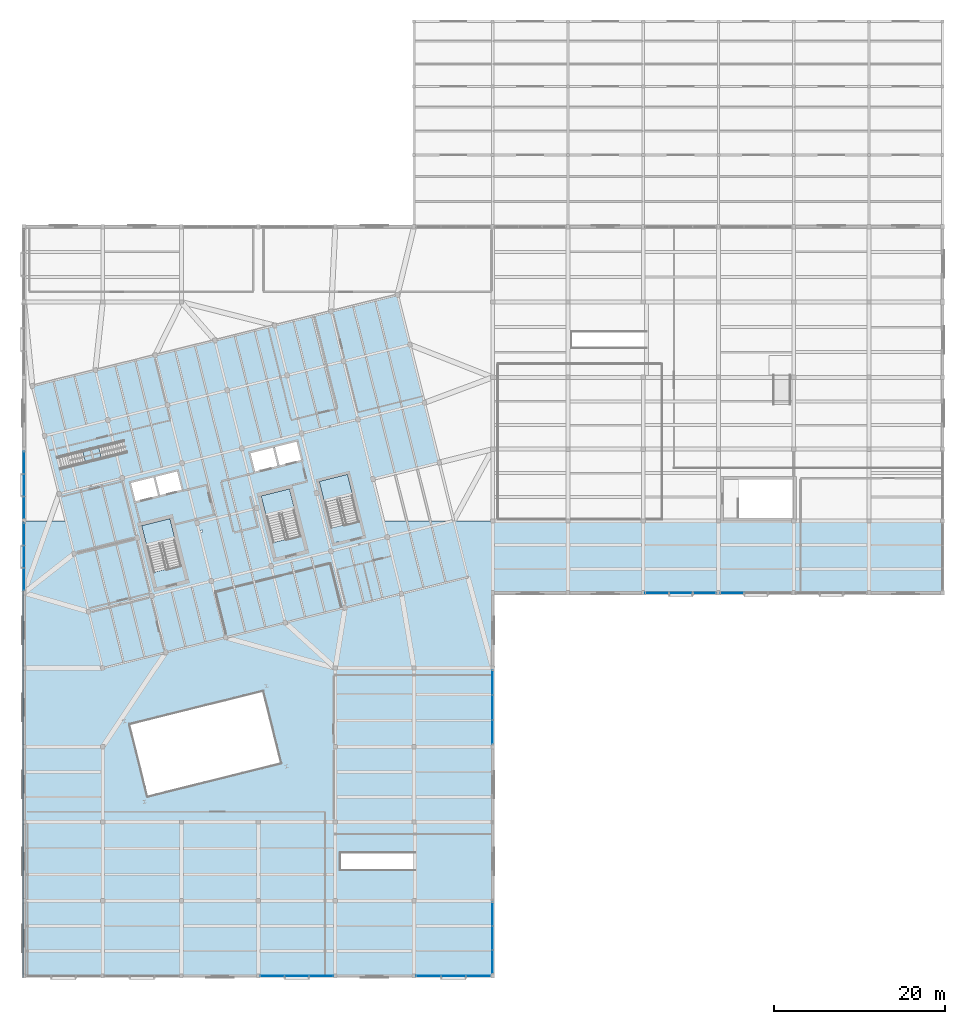
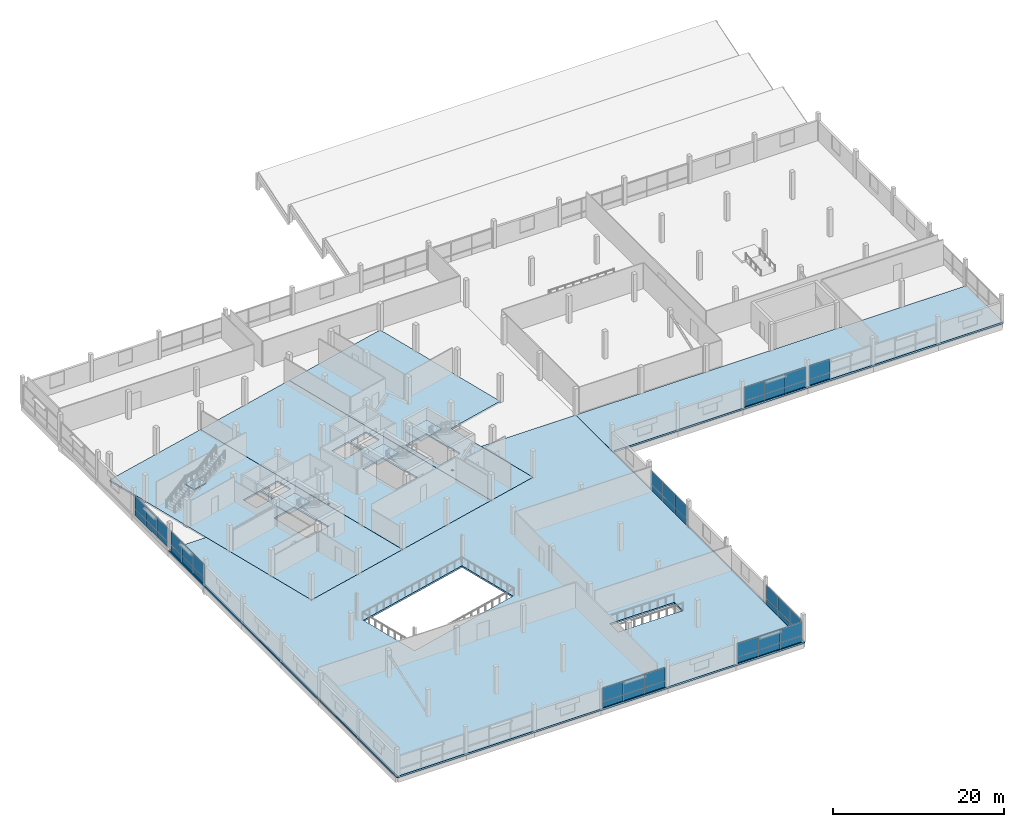
# One storey, part 48 of 62: 44 plates, 10 slabs, 12 elements without a shape of their own.
"""IFC4 building model written with IfcOpenShell, lengths in metres."""

from ifc_helpers import new_model, si_unit, direction, frame, origin, origin_2d, place, context, subcontext, project, spatial, polyline, rectangle, outline, extrude, material, layer, layer_set, type_object, element, aggregate, save


model = new_model("IFC4")

# Units and contexts
model_context = context("Model", 3, precision=1e-05, world=origin(), true_north=direction((0.0, 1.0)))
body_context = subcontext(model_context, "Body", "Model", "MODEL_VIEW")
ifc_project = project(units=[si_unit("LENGTHUNIT", "METRE"), si_unit("AREAUNIT", "SQUARE_METRE"), si_unit("VOLUMEUNIT", "CUBIC_METRE"), si_unit("PLANEANGLEUNIT", "RADIAN"), si_unit("MASSUNIT", "GRAM", prefix="KILO")], contexts=[model_context])

# Site, building, storey
site_placement = place(None, origin())
site = spatial("IfcSite", under=ifc_project, at=site_placement, CompositionType="ELEMENT")
building_placement = place(site_placement, origin())
building = spatial("IfcBuilding", under=site, at=building_placement, Name="Meriwether Solvik Hall", CompositionType="ELEMENT")
storey_placement = place(building_placement, frame((0.0, 0.0, 14.39990234375)))
storey = spatial("IfcBuildingStorey", under=building, at=storey_placement, Name="L03", CompositionType="ELEMENT", Elevation=14.39990234375)

# Curtain wall, plates
ifc_material_1 = material(Name="Thermally Broken Anodised Aluminium 6063-T6 and Low-E Glass", Category="aluminium")
ifc_layer_1 = layer(ifc_material_1, 0.179931640625)
ifc_layer_set_1 = layer_set([ifc_layer_1], Name="Thermally Broken Anodised Aluminium 6063-T6 and Low-E Glass")
curtain_wall_type = type_object("IfcCurtainWallType", Name="CW-UNIT-E", PredefinedType="USERDEFINED", material=ifc_layer_set_1)
curtain_wall_1_placement = place(storey_placement, origin())
curtain_wall_1 = element("IfcCurtainWall", 1, at=curtain_wall_1_placement, inside=storey, type_object=curtain_wall_type, Name="Curtain Wall wing_XA_10_3 (L03)", ObjectType="UNITISED CURTAIN WALL", PredefinedType="USERDEFINED")
ifc_material_2 = material(Name="Low-Emissivity Double-Glazed Laminated Glass", Category="glass")
ifc_layer_2 = layer(ifc_material_2, 0.031982421875)
ifc_layer_set_2 = layer_set([ifc_layer_2], Name="Low-Emissivity Double-Glazed Laminated Glass")
plate_type_1 = type_object("IfcPlateType", Name="PLT-GLZ-225X195", PredefinedType="CURTAIN_PANEL", material=ifc_layer_set_2)
plate_1_placement = place(storey_placement, frame((94.133056640625, 5.199951171875, 0.856689453125), z_axis=(0.0, 0.0, 1.0), x_axis=(-1.0, 0.0, 0.0)))
plate_1 = element("IfcPlate", 2, at=plate_1_placement, type_object=plate_type_1, Name="Low-E Vision Glazing Panel 1", PredefinedType="CURTAIN_PANEL", context=body_context, shape_type="SweptSolid", body=[
    extrude(rectangle(XDim=2.805908203125, YDim=0.033935546875, at=origin_2d()), origin(), (0.0, 0.0, 1.0), 1.9384765625),
])
plate_2_placement = place(storey_placement, frame((91.300048828125, 5.199951171875, 0.856689453125), z_axis=(0.0, 0.0, 1.0), x_axis=(-1.0, 0.0, 0.0)))
plate_2 = element("IfcPlate", 3, at=plate_2_placement, type_object=plate_type_1, Name="Low-E Vision Glazing Panel 2", PredefinedType="CURTAIN_PANEL", context=body_context, shape_type="SweptSolid", body=[
    extrude(rectangle(XDim=2.843994140625, YDim=0.033935546875, at=origin_2d()), origin(), (0.0, 0.0, 1.0), 1.9384765625),
])
plate_3_placement = place(storey_placement, frame((88.467041015625, 5.199951171875, 0.856689453125), z_axis=(0.0, 0.0, 1.0), x_axis=(-1.0, 0.0, 0.0)))
plate_3 = element("IfcPlate", 4, at=plate_3_placement, type_object=plate_type_1, Name="Low-E Vision Glazing Panel 3", PredefinedType="CURTAIN_PANEL", context=body_context, shape_type="SweptSolid", body=[
    extrude(rectangle(XDim=2.805908203125, YDim=0.033935546875, at=origin_2d()), origin(), (0.0, 0.0, 1.0), 1.9384765625),
])

curtain_wall_2_placement = place(storey_placement, origin())
curtain_wall_2 = element("IfcCurtainWall", 5, at=curtain_wall_2_placement, inside=storey, type_object=curtain_wall_type, Name="Curtain Wall wing_XA_12_5 (L03)", ObjectType="UNITISED CURTAIN WALL", PredefinedType="USERDEFINED")
plate_4_placement = place(storey_placement, frame((112.499755859375, 5.199951171875, 0.856689453125), z_axis=(0.0, 0.0, 1.0), x_axis=(-1.0, 0.0, 0.0)))
plate_4 = element("IfcPlate", 6, at=plate_4_placement, type_object=plate_type_1, Name="Low-E Vision Glazing Panel 1", PredefinedType="CURTAIN_PANEL", context=body_context, shape_type="SweptSolid", body=[
    extrude(rectangle(XDim=2.872802734375, YDim=0.033935546875, at=origin_2d()), origin(), (0.0, 0.0, 1.0), 1.9384765625),
])
plate_5_placement = place(storey_placement, frame((109.60009765625, 5.199951171875, 0.856689453125), z_axis=(0.0, 0.0, 1.0), x_axis=(-1.0, 0.0, 0.0)))
plate_5 = element("IfcPlate", 7, at=plate_5_placement, type_object=plate_type_1, Name="Low-E Vision Glazing Panel 2", PredefinedType="CURTAIN_PANEL", context=body_context, shape_type="SweptSolid", body=[
    extrude(rectangle(XDim=2.91064453125, YDim=0.033935546875, at=origin_2d()), origin(), (0.0, 0.0, 1.0), 1.9384765625),
])
plate_6_placement = place(storey_placement, frame((106.700439453125, 5.199951171875, 0.856689453125), z_axis=(0.0, 0.0, 1.0), x_axis=(-1.0, 0.0, 0.0)))
plate_6 = element("IfcPlate", 8, at=plate_6_placement, type_object=plate_type_1, Name="Low-E Vision Glazing Panel 3", PredefinedType="CURTAIN_PANEL", context=body_context, shape_type="SweptSolid", body=[
    extrude(rectangle(XDim=2.872802734375, YDim=0.033935546875, at=origin_2d()), origin(), (0.0, 0.0, 1.0), 1.9384765625),
])

curtain_wall_3_placement = place(storey_placement, origin())
curtain_wall_3 = element("IfcCurtainWall", 9, at=curtain_wall_3_placement, inside=storey, type_object=curtain_wall_type, Name="Curtain Wall wing_XF_15_8 (L03)", ObjectType="UNITISED CURTAIN WALL", PredefinedType="USERDEFINED")
plate_7_placement = place(storey_placement, frame((138.96630859375, 50.0, 0.856689453125), z_axis=(0.0, 0.0, 1.0), x_axis=(-1.0, 0.0, 0.0)))
plate_7 = element("IfcPlate", 10, at=plate_7_placement, type_object=plate_type_1, Name="Low-E Vision Glazing Panel 1", PredefinedType="CURTAIN_PANEL", context=body_context, shape_type="SweptSolid", body=[
    extrude(rectangle(XDim=2.7392578125, YDim=0.033935546875, at=origin_2d()), origin(), (0.0, 0.0, 1.0), 1.9384765625),
])
plate_8_placement = place(storey_placement, frame((136.199951171875, 50.0, 0.856689453125), z_axis=(0.0, 0.0, 1.0), x_axis=(-1.0, 0.0, 0.0)))
plate_8 = element("IfcPlate", 11, at=plate_8_placement, type_object=plate_type_1, Name="Low-E Vision Glazing Panel 2", PredefinedType="CURTAIN_PANEL", context=body_context, shape_type="SweptSolid", body=[
    extrude(rectangle(XDim=2.77734375, YDim=0.033935546875, at=origin_2d()), origin(), (0.0, 0.0, 1.0), 1.9384765625),
])
plate_9_placement = place(storey_placement, frame((133.43359375, 50.0, 0.856689453125), z_axis=(0.0, 0.0, 1.0), x_axis=(-1.0, 0.0, 0.0)))
plate_9 = element("IfcPlate", 12, at=plate_9_placement, type_object=plate_type_1, Name="Low-E Vision Glazing Panel 3", PredefinedType="CURTAIN_PANEL", context=body_context, shape_type="SweptSolid", body=[
    extrude(rectangle(XDim=2.7392578125, YDim=0.033935546875, at=origin_2d()), origin(), (0.0, 0.0, 1.0), 1.9384765625),
])

# Curtain wall, plate
curtain_wall_4_placement = place(storey_placement, origin())
curtain_wall_4 = element("IfcCurtainWall", 13, at=curtain_wall_4_placement, inside=storey, type_object=curtain_wall_type, Name="Curtain Wall wing_XF_16_9 (L03)", ObjectType="UNITISED CURTAIN WALL", PredefinedType="USERDEFINED")
plate_10_placement = place(storey_placement, frame((142.233642578125, 50.0, 0.856689453125), z_axis=(0.0, 0.0, 1.0), x_axis=(-1.0, 0.0, 0.0)))
plate_10 = element("IfcPlate", 14, at=plate_10_placement, type_object=plate_type_1, Name="Low-E Vision Glazing Panel 3", PredefinedType="CURTAIN_PANEL", context=body_context, shape_type="SweptSolid", body=[
    extrude(rectangle(XDim=2.7392578125, YDim=0.033935546875, at=origin_2d()), origin(), (0.0, 0.0, 1.0), 1.9384765625),
])

# Curtain wall, plates
curtain_wall_5_placement = place(storey_placement, origin())
curtain_wall_5 = element("IfcCurtainWall", 15, at=curtain_wall_5_placement, inside=storey, type_object=curtain_wall_type, Name="Curtain Wall wing_Y7_6_29 (L03)", ObjectType="UNITISED CURTAIN WALL", PredefinedType="USERDEFINED")
plate_11_placement = place(storey_placement, frame((59.39990234375, 51.592041015625, 0.856689453125), z_axis=(0.0, 0.0, 1.0), x_axis=(0.0, 1.0, 0.0)))
plate_11 = element("IfcPlate", 16, at=plate_11_placement, type_object=plate_type_1, Name="Low-E Vision Glazing Panel 1", PredefinedType="CURTAIN_PANEL", context=body_context, shape_type="SweptSolid", body=[
    extrude(rectangle(XDim=2.5810546875, YDim=0.033935546875, at=origin_2d()), origin(), (0.0, 0.0, 1.0), 1.9384765625),
])
plate_12_placement = place(storey_placement, frame((59.39990234375, 54.199951171875, 0.856689453125), z_axis=(0.0, 0.0, 1.0), x_axis=(0.0, 1.0, 0.0)))
plate_12 = element("IfcPlate", 17, at=plate_12_placement, type_object=plate_type_1, Name="Low-E Vision Glazing Panel 2", PredefinedType="CURTAIN_PANEL", context=body_context, shape_type="SweptSolid", body=[
    extrude(rectangle(XDim=2.618896484375, YDim=0.033935546875, at=origin_2d()), origin(), (0.0, 0.0, 1.0), 1.9384765625),
])
plate_13_placement = place(storey_placement, frame((59.39990234375, 56.80810546875, 0.856689453125), z_axis=(0.0, 0.0, 1.0), x_axis=(0.0, 1.0, 0.0)))
plate_13 = element("IfcPlate", 18, at=plate_13_placement, type_object=plate_type_1, Name="Low-E Vision Glazing Panel 3", PredefinedType="CURTAIN_PANEL", context=body_context, shape_type="SweptSolid", body=[
    extrude(rectangle(XDim=2.5810546875, YDim=0.033935546875, at=origin_2d()), origin(), (0.0, 0.0, 1.0), 1.9384765625),
])

curtain_wall_6_placement = place(storey_placement, origin())
curtain_wall_6 = element("IfcCurtainWall", 19, at=curtain_wall_6_placement, inside=storey, type_object=curtain_wall_type, Name="Curtain Wall wing_Y7_7_30 (L03)", ObjectType="UNITISED CURTAIN WALL", PredefinedType="USERDEFINED")
plate_14_placement = place(storey_placement, frame((59.39990234375, 59.991943359375, 0.856689453125), z_axis=(0.0, 0.0, 1.0), x_axis=(0.0, 1.0, 0.0)))
plate_14 = element("IfcPlate", 20, at=plate_14_placement, type_object=plate_type_1, Name="Low-E Vision Glazing Panel 1", PredefinedType="CURTAIN_PANEL", context=body_context, shape_type="SweptSolid", body=[
    extrude(rectangle(XDim=2.5810546875, YDim=0.033935546875, at=origin_2d()), origin(), (0.0, 0.0, 1.0), 1.9384765625),
])
plate_15_placement = place(storey_placement, frame((59.39990234375, 62.60009765625, 0.856689453125), z_axis=(0.0, 0.0, 1.0), x_axis=(0.0, 1.0, 0.0)))
plate_15 = element("IfcPlate", 21, at=plate_15_placement, type_object=plate_type_1, Name="Low-E Vision Glazing Panel 2", PredefinedType="CURTAIN_PANEL", context=body_context, shape_type="SweptSolid", body=[
    extrude(rectangle(XDim=2.618896484375, YDim=0.033935546875, at=origin_2d()), origin(), (0.0, 0.0, 1.0), 1.9384765625),
])
plate_16_placement = place(storey_placement, frame((59.39990234375, 65.2080078125, 0.856689453125), z_axis=(0.0, 0.0, 1.0), x_axis=(0.0, 1.0, 0.0)))
plate_16 = element("IfcPlate", 22, at=plate_16_placement, type_object=plate_type_1, Name="Low-E Vision Glazing Panel 3", PredefinedType="CURTAIN_PANEL", context=body_context, shape_type="SweptSolid", body=[
    extrude(rectangle(XDim=2.5810546875, YDim=0.033935546875, at=origin_2d()), origin(), (0.0, 0.0, 1.0), 1.9384765625),
])

curtain_wall_7_placement = place(storey_placement, origin())
curtain_wall_7 = element("IfcCurtainWall", 23, at=curtain_wall_7_placement, inside=storey, type_object=curtain_wall_type, Name="Curtain Wall wing_Y13_1_34 (L03)", ObjectType="UNITISED CURTAIN WALL", PredefinedType="USERDEFINED")
plate_17_placement = place(storey_placement, frame((114.199951171875, 12.399169921875, 0.856689453125), z_axis=(0.0, 0.0, 1.0), x_axis=(0.0, -1.0, 0.0)))
plate_17 = element("IfcPlate", 24, at=plate_17_placement, type_object=plate_type_1, Name="Low-E Vision Glazing Panel 1", PredefinedType="CURTAIN_PANEL", context=body_context, shape_type="SweptSolid", body=[
    extrude(rectangle(XDim=2.737548828125, YDim=0.033935546875, at=origin_2d()), origin(), (0.0, 0.0, 1.0), 1.9384765625),
])
plate_18_placement = place(storey_placement, frame((114.199951171875, 9.634765625, 0.856689453125), z_axis=(0.0, 0.0, 1.0), x_axis=(0.0, -1.0, 0.0)))
plate_18 = element("IfcPlate", 25, at=plate_18_placement, type_object=plate_type_1, Name="Low-E Vision Glazing Panel 2", PredefinedType="CURTAIN_PANEL", context=body_context, shape_type="SweptSolid", body=[
    extrude(rectangle(XDim=2.775390625, YDim=0.033935546875, at=origin_2d()), origin(), (0.0, 0.0, 1.0), 1.9384765625),
])
plate_19_placement = place(storey_placement, frame((114.199951171875, 6.870361328125, 0.856689453125), z_axis=(0.0, 0.0, 1.0), x_axis=(0.0, -1.0, 0.0)))
plate_19 = element("IfcPlate", 26, at=plate_19_placement, type_object=plate_type_1, Name="Low-E Vision Glazing Panel 3", PredefinedType="CURTAIN_PANEL", context=body_context, shape_type="SweptSolid", body=[
    extrude(rectangle(XDim=2.737548828125, YDim=0.033935546875, at=origin_2d()), origin(), (0.0, 0.0, 1.0), 1.9384765625),
])

curtain_wall_8_placement = place(storey_placement, origin())
curtain_wall_8 = element("IfcCurtainWall", 27, at=curtain_wall_8_placement, inside=storey, type_object=curtain_wall_type, Name="Curtain Wall wing_Y13_4_37 (L03)", ObjectType="UNITISED CURTAIN WALL", PredefinedType="USERDEFINED")
plate_20_placement = place(storey_placement, frame((114.199951171875, 39.474609375, 0.856689453125), z_axis=(0.0, 0.0, 1.0), x_axis=(0.0, -1.0, 0.0)))
plate_20 = element("IfcPlate", 28, at=plate_20_placement, type_object=plate_type_1, Name="Low-E Vision Glazing Panel 1", PredefinedType="CURTAIN_PANEL", context=body_context, shape_type="SweptSolid", body=[
    extrude(rectangle(XDim=2.84765625, YDim=0.033935546875, at=origin_2d()), origin(), (0.0, 0.0, 1.0), 1.9384765625),
])
plate_21_placement = place(storey_placement, frame((114.199951171875, 36.60009765625, 0.856689453125), z_axis=(0.0, 0.0, 1.0), x_axis=(0.0, -1.0, 0.0)))
plate_21 = element("IfcPlate", 29, at=plate_21_placement, type_object=plate_type_1, Name="Low-E Vision Glazing Panel 2", PredefinedType="CURTAIN_PANEL", context=body_context, shape_type="SweptSolid", body=[
    extrude(rectangle(XDim=2.8857421875, YDim=0.033935546875, at=origin_2d()), origin(), (0.0, 0.0, 1.0), 1.9384765625),
])
plate_22_placement = place(storey_placement, frame((114.199951171875, 33.725341796875, 0.856689453125), z_axis=(0.0, 0.0, 1.0), x_axis=(0.0, -1.0, 0.0)))
plate_22 = element("IfcPlate", 30, at=plate_22_placement, type_object=plate_type_1, Name="Low-E Vision Glazing Panel 3", PredefinedType="CURTAIN_PANEL", context=body_context, shape_type="SweptSolid", body=[
    extrude(rectangle(XDim=2.84765625, YDim=0.033935546875, at=origin_2d()), origin(), (0.0, 0.0, 1.0), 1.9384765625),
])

# Plate
ifc_material_3 = material(Name="Mineral-Wool Insulated Anodised Aluminium 6063-T6", Category="aluminium")
ifc_layer_3 = layer(ifc_material_3, 0.044921875)
ifc_layer_set_3 = layer_set([ifc_layer_3], Name="Mineral-Wool Insulated Anodised Aluminium 6063-T6")
plate_type_2 = type_object("IfcPlateType", Name="PLT-SPN-225X085", PredefinedType="CURTAIN_PANEL", material=ifc_layer_set_3)
plate_23_placement = place(storey_placement, frame((94.133056640625, 5.199951171875, 0.000244140625), z_axis=(0.0, 0.0, 1.0), x_axis=(-1.0, 0.0, 0.0)))
plate_23 = element("IfcPlate", 31, at=plate_23_placement, type_object=plate_type_2, Name="Insulated Spandrel Panel 1", PredefinedType="CURTAIN_PANEL", context=body_context, shape_type="SweptSolid", body=[
    extrude(rectangle(XDim=2.805908203125, YDim=0.044921875, at=origin_2d()), origin(), (0.0, 0.0, 1.0), 0.8564453125),
])

plate_24_placement = place(storey_placement, frame((91.300048828125, 5.199951171875, 0.000244140625), z_axis=(0.0, 0.0, 1.0), x_axis=(-1.0, 0.0, 0.0)))
plate_24 = element("IfcPlate", 32, at=plate_24_placement, type_object=plate_type_2, Name="Insulated Spandrel Panel 2", PredefinedType="CURTAIN_PANEL", context=body_context, shape_type="SweptSolid", body=[
    extrude(rectangle(XDim=2.843994140625, YDim=0.044921875, at=origin_2d()), origin(), (0.0, 0.0, 1.0), 0.8564453125),
])

plate_25_placement = place(storey_placement, frame((88.467041015625, 5.199951171875, 0.000244140625), z_axis=(0.0, 0.0, 1.0), x_axis=(-1.0, 0.0, 0.0)))
plate_25 = element("IfcPlate", 33, at=plate_25_placement, type_object=plate_type_2, Name="Insulated Spandrel Panel 3", PredefinedType="CURTAIN_PANEL", context=body_context, shape_type="SweptSolid", body=[
    extrude(rectangle(XDim=2.805908203125, YDim=0.044921875, at=origin_2d()), origin(), (0.0, 0.0, 1.0), 0.8564453125),
])

aggregate(curtain_wall_1, [plate_23, plate_1, plate_24, plate_2, plate_25, plate_3])

plate_26_placement = place(storey_placement, frame((112.499755859375, 5.199951171875, 0.000244140625), z_axis=(0.0, 0.0, 1.0), x_axis=(-1.0, 0.0, 0.0)))
plate_26 = element("IfcPlate", 34, at=plate_26_placement, type_object=plate_type_2, Name="Insulated Spandrel Panel 1", PredefinedType="CURTAIN_PANEL", context=body_context, shape_type="SweptSolid", body=[
    extrude(rectangle(XDim=2.872802734375, YDim=0.044921875, at=origin_2d()), origin(), (0.0, 0.0, 1.0), 0.8564453125),
])

plate_27_placement = place(storey_placement, frame((109.60009765625, 5.199951171875, 0.000244140625), z_axis=(0.0, 0.0, 1.0), x_axis=(-1.0, 0.0, 0.0)))
plate_27 = element("IfcPlate", 35, at=plate_27_placement, type_object=plate_type_2, Name="Insulated Spandrel Panel 2", PredefinedType="CURTAIN_PANEL", context=body_context, shape_type="SweptSolid", body=[
    extrude(rectangle(XDim=2.91064453125, YDim=0.044921875, at=origin_2d()), origin(), (0.0, 0.0, 1.0), 0.8564453125),
])

plate_28_placement = place(storey_placement, frame((106.700439453125, 5.199951171875, 0.000244140625), z_axis=(0.0, 0.0, 1.0), x_axis=(-1.0, 0.0, 0.0)))
plate_28 = element("IfcPlate", 36, at=plate_28_placement, type_object=plate_type_2, Name="Insulated Spandrel Panel 3", PredefinedType="CURTAIN_PANEL", context=body_context, shape_type="SweptSolid", body=[
    extrude(rectangle(XDim=2.872802734375, YDim=0.044921875, at=origin_2d()), origin(), (0.0, 0.0, 1.0), 0.8564453125),
])

aggregate(curtain_wall_2, [plate_26, plate_4, plate_27, plate_5, plate_28, plate_6])

plate_29_placement = place(storey_placement, frame((138.96630859375, 50.0, 0.000244140625), z_axis=(0.0, 0.0, 1.0), x_axis=(-1.0, 0.0, 0.0)))
plate_29 = element("IfcPlate", 37, at=plate_29_placement, type_object=plate_type_2, Name="Insulated Spandrel Panel 1", PredefinedType="CURTAIN_PANEL", context=body_context, shape_type="SweptSolid", body=[
    extrude(rectangle(XDim=2.7392578125, YDim=0.044921875, at=origin_2d()), origin(), (0.0, 0.0, 1.0), 0.8564453125),
])

plate_30_placement = place(storey_placement, frame((136.199951171875, 50.0, 0.000244140625), z_axis=(0.0, 0.0, 1.0), x_axis=(-1.0, 0.0, 0.0)))
plate_30 = element("IfcPlate", 38, at=plate_30_placement, type_object=plate_type_2, Name="Insulated Spandrel Panel 2", PredefinedType="CURTAIN_PANEL", context=body_context, shape_type="SweptSolid", body=[
    extrude(rectangle(XDim=2.77734375, YDim=0.044921875, at=origin_2d()), origin(), (0.0, 0.0, 1.0), 0.8564453125),
])

plate_31_placement = place(storey_placement, frame((133.43359375, 50.0, 0.000244140625), z_axis=(0.0, 0.0, 1.0), x_axis=(-1.0, 0.0, 0.0)))
plate_31 = element("IfcPlate", 39, at=plate_31_placement, type_object=plate_type_2, Name="Insulated Spandrel Panel 3", PredefinedType="CURTAIN_PANEL", context=body_context, shape_type="SweptSolid", body=[
    extrude(rectangle(XDim=2.7392578125, YDim=0.044921875, at=origin_2d()), origin(), (0.0, 0.0, 1.0), 0.8564453125),
])

aggregate(curtain_wall_3, [plate_29, plate_7, plate_30, plate_8, plate_31, plate_9])

plate_32_placement = place(storey_placement, frame((142.233642578125, 50.0, 0.000244140625), z_axis=(0.0, 0.0, 1.0), x_axis=(-1.0, 0.0, 0.0)))
plate_32 = element("IfcPlate", 40, at=plate_32_placement, type_object=plate_type_2, Name="Insulated Spandrel Panel 3", PredefinedType="CURTAIN_PANEL", context=body_context, shape_type="SweptSolid", body=[
    extrude(rectangle(XDim=2.7392578125, YDim=0.044921875, at=origin_2d()), origin(), (0.0, 0.0, 1.0), 0.8564453125),
])

aggregate(curtain_wall_4, [plate_32, plate_10])

plate_33_placement = place(storey_placement, frame((59.39990234375, 51.592041015625, 0.000244140625), z_axis=(0.0, 0.0, 1.0), x_axis=(0.0, 1.0, 0.0)))
plate_33 = element("IfcPlate", 41, at=plate_33_placement, type_object=plate_type_2, Name="Insulated Spandrel Panel 1", PredefinedType="CURTAIN_PANEL", context=body_context, shape_type="SweptSolid", body=[
    extrude(rectangle(XDim=2.5810546875, YDim=0.044921875, at=origin_2d()), origin(), (0.0, 0.0, 1.0), 0.8564453125),
])

plate_34_placement = place(storey_placement, frame((59.39990234375, 54.199951171875, 0.000244140625), z_axis=(0.0, 0.0, 1.0), x_axis=(0.0, 1.0, 0.0)))
plate_34 = element("IfcPlate", 42, at=plate_34_placement, type_object=plate_type_2, Name="Insulated Spandrel Panel 2", PredefinedType="CURTAIN_PANEL", context=body_context, shape_type="SweptSolid", body=[
    extrude(rectangle(XDim=2.618896484375, YDim=0.044921875, at=origin_2d()), origin(), (0.0, 0.0, 1.0), 0.8564453125),
])

plate_35_placement = place(storey_placement, frame((59.39990234375, 56.80810546875, 0.000244140625), z_axis=(0.0, 0.0, 1.0), x_axis=(0.0, 1.0, 0.0)))
plate_35 = element("IfcPlate", 43, at=plate_35_placement, type_object=plate_type_2, Name="Insulated Spandrel Panel 3", PredefinedType="CURTAIN_PANEL", context=body_context, shape_type="SweptSolid", body=[
    extrude(rectangle(XDim=2.5810546875, YDim=0.044921875, at=origin_2d()), origin(), (0.0, 0.0, 1.0), 0.8564453125),
])

aggregate(curtain_wall_5, [plate_33, plate_11, plate_34, plate_12, plate_35, plate_13])

plate_36_placement = place(storey_placement, frame((59.39990234375, 59.991943359375, 0.000244140625), z_axis=(0.0, 0.0, 1.0), x_axis=(0.0, 1.0, 0.0)))
plate_36 = element("IfcPlate", 44, at=plate_36_placement, type_object=plate_type_2, Name="Insulated Spandrel Panel 1", PredefinedType="CURTAIN_PANEL", context=body_context, shape_type="SweptSolid", body=[
    extrude(rectangle(XDim=2.5810546875, YDim=0.044921875, at=origin_2d()), origin(), (0.0, 0.0, 1.0), 0.8564453125),
])

plate_37_placement = place(storey_placement, frame((59.39990234375, 62.60009765625, 0.000244140625), z_axis=(0.0, 0.0, 1.0), x_axis=(0.0, 1.0, 0.0)))
plate_37 = element("IfcPlate", 45, at=plate_37_placement, type_object=plate_type_2, Name="Insulated Spandrel Panel 2", PredefinedType="CURTAIN_PANEL", context=body_context, shape_type="SweptSolid", body=[
    extrude(rectangle(XDim=2.618896484375, YDim=0.044921875, at=origin_2d()), origin(), (0.0, 0.0, 1.0), 0.8564453125),
])

plate_38_placement = place(storey_placement, frame((59.39990234375, 65.2080078125, 0.000244140625), z_axis=(0.0, 0.0, 1.0), x_axis=(0.0, 1.0, 0.0)))
plate_38 = element("IfcPlate", 46, at=plate_38_placement, type_object=plate_type_2, Name="Insulated Spandrel Panel 3", PredefinedType="CURTAIN_PANEL", context=body_context, shape_type="SweptSolid", body=[
    extrude(rectangle(XDim=2.5810546875, YDim=0.044921875, at=origin_2d()), origin(), (0.0, 0.0, 1.0), 0.8564453125),
])

aggregate(curtain_wall_6, [plate_36, plate_14, plate_37, plate_15, plate_38, plate_16])

plate_39_placement = place(storey_placement, frame((114.199951171875, 12.399169921875, 0.000244140625), z_axis=(0.0, 0.0, 1.0), x_axis=(0.0, -1.0, 0.0)))
plate_39 = element("IfcPlate", 47, at=plate_39_placement, type_object=plate_type_2, Name="Insulated Spandrel Panel 1", PredefinedType="CURTAIN_PANEL", context=body_context, shape_type="SweptSolid", body=[
    extrude(rectangle(XDim=2.737548828125, YDim=0.044921875, at=origin_2d()), origin(), (0.0, 0.0, 1.0), 0.8564453125),
])

plate_40_placement = place(storey_placement, frame((114.199951171875, 9.634765625, 0.000244140625), z_axis=(0.0, 0.0, 1.0), x_axis=(0.0, -1.0, 0.0)))
plate_40 = element("IfcPlate", 48, at=plate_40_placement, type_object=plate_type_2, Name="Insulated Spandrel Panel 2", PredefinedType="CURTAIN_PANEL", context=body_context, shape_type="SweptSolid", body=[
    extrude(rectangle(XDim=2.775390625, YDim=0.044921875, at=origin_2d()), origin(), (0.0, 0.0, 1.0), 0.8564453125),
])

plate_41_placement = place(storey_placement, frame((114.199951171875, 6.870361328125, 0.000244140625), z_axis=(0.0, 0.0, 1.0), x_axis=(0.0, -1.0, 0.0)))
plate_41 = element("IfcPlate", 49, at=plate_41_placement, type_object=plate_type_2, Name="Insulated Spandrel Panel 3", PredefinedType="CURTAIN_PANEL", context=body_context, shape_type="SweptSolid", body=[
    extrude(rectangle(XDim=2.737548828125, YDim=0.044921875, at=origin_2d()), origin(), (0.0, 0.0, 1.0), 0.8564453125),
])

aggregate(curtain_wall_7, [plate_39, plate_17, plate_40, plate_18, plate_41, plate_19])

plate_42_placement = place(storey_placement, frame((114.199951171875, 39.474609375, 0.000244140625), z_axis=(0.0, 0.0, 1.0), x_axis=(0.0, -1.0, 0.0)))
plate_42 = element("IfcPlate", 50, at=plate_42_placement, type_object=plate_type_2, Name="Insulated Spandrel Panel 1", PredefinedType="CURTAIN_PANEL", context=body_context, shape_type="SweptSolid", body=[
    extrude(rectangle(XDim=2.84765625, YDim=0.044921875, at=origin_2d()), origin(), (0.0, 0.0, 1.0), 0.8564453125),
])

plate_43_placement = place(storey_placement, frame((114.199951171875, 36.60009765625, 0.000244140625), z_axis=(0.0, 0.0, 1.0), x_axis=(0.0, -1.0, 0.0)))
plate_43 = element("IfcPlate", 51, at=plate_43_placement, type_object=plate_type_2, Name="Insulated Spandrel Panel 2", PredefinedType="CURTAIN_PANEL", context=body_context, shape_type="SweptSolid", body=[
    extrude(rectangle(XDim=2.8857421875, YDim=0.044921875, at=origin_2d()), origin(), (0.0, 0.0, 1.0), 0.8564453125),
])

plate_44_placement = place(storey_placement, frame((114.199951171875, 33.725341796875, 0.000244140625), z_axis=(0.0, 0.0, 1.0), x_axis=(0.0, -1.0, 0.0)))
plate_44 = element("IfcPlate", 52, at=plate_44_placement, type_object=plate_type_2, Name="Insulated Spandrel Panel 3", PredefinedType="CURTAIN_PANEL", context=body_context, shape_type="SweptSolid", body=[
    extrude(rectangle(XDim=2.84765625, YDim=0.044921875, at=origin_2d()), origin(), (0.0, 0.0, 1.0), 0.8564453125),
])

aggregate(curtain_wall_8, [plate_42, plate_20, plate_43, plate_21, plate_44, plate_22])

# Slabs
ifc_material_4 = material(Name="Cross-Laminated Timber PRG 320 E1", Category="wood")
ifc_layer_4 = layer(ifc_material_4, 0.2451171875)
ifc_layer_set_4 = layer_set([ifc_layer_4], Name="Cross-Laminated Timber PRG 320 E1")
slab_type_1 = type_object("IfcSlabType", Name="SLB-CLT-245", PredefinedType="FLOOR", material=ifc_layer_set_4)
slab_1_placement = place(storey_placement, frame((0.0, 0.0, -0.244873046875)))
element("IfcSlab", 53, at=slab_1_placement, inside=storey, type_object=slab_type_1, Name="L03 Structural Slab Zone 1", PredefinedType="FLOOR", context=body_context, shape_type="SweptSolid", body=[
    extrude(outline(polyline([(59.39697265625, 5.0400390625), (59.239990234375, 5.0400390625), (59.239990234375, 58.39697265625), (59.39697265625, 58.39697265625), (59.39697265625, 5.0400390625)])), origin(), (0.0, 0.0, 1.0), 0.244873046875),
])
slab_2_placement = place(storey_placement, frame((0.0, 0.0, -0.244873046875)))
element("IfcSlab", 54, at=slab_2_placement, inside=storey, type_object=slab_type_1, Name="L03 Structural Slab Zone 3", PredefinedType="FLOOR", context=body_context, shape_type="SweptSolid", body=[
    extrude(outline(polyline([(114.197021484375, 5.0400390625), (59.403076171875, 5.0400390625), (59.403076171875, 58.39697265625), (64.311279296875, 58.39697265625), (68.599365234375, 41.19873046875), (103.53173828125, 49.908447265625), (101.41552734375, 58.39697265625), (114.197021484375, 58.39697265625), (114.197021484375, 5.0400390625)]), holes=[polyline([(87.322021484375, 38.447509765625), (71.79736328125, 34.57666015625), (73.8779296875, 26.232177734375), (89.402587890625, 30.10302734375), (87.322021484375, 38.447509765625)]), polyline([(105.10205078125, 17.6201171875), (105.10205078125, 19.580078125), (96.39990234375, 19.580078125), (96.39990234375, 17.6201171875), (105.10205078125, 17.6201171875)])]), origin(), (0.0, 0.0, 1.0), 0.244873046875),
])
slab_3_placement = place(storey_placement, frame((0.0, 0.0, -0.244873046875)))
element("IfcSlab", 55, at=slab_3_placement, inside=storey, type_object=slab_type_1, Name="L03 Structural Slab Zone 5", PredefinedType="FLOOR", context=body_context, shape_type="SweptSolid", body=[
    extrude(outline(polyline([(166.9599609375, 58.39697265625), (166.9599609375, 49.840087890625), (114.360107421875, 49.840087890625), (114.360107421875, 5.0400390625), (114.202880859375, 5.0400390625), (114.202880859375, 58.39697265625), (166.9599609375, 58.39697265625)])), origin(), (0.0, 0.0, 1.0), 0.244873046875),
])
slab_4_placement = place(storey_placement, frame((0.0, 0.0, -0.244873046875)))
element("IfcSlab", 56, at=slab_4_placement, inside=storey, type_object=slab_type_1, Name="L03 Mass-Timber CLT Floor W", PredefinedType="FLOOR", context=body_context, shape_type="SweptSolid", body=[
    extrude(outline(polyline([(74.732177734375, 77.769775390625), (82.95751953125, 44.77978515625), (68.60009765625, 41.199951171875), (60.374755859375, 74.18994140625), (74.732177734375, 77.769775390625)]), holes=[polyline([(76.45703125, 58.669677734375), (73.157958984375, 57.84716796875), (74.5205078125, 52.382568359375), (77.819580078125, 53.205078125), (76.45703125, 58.669677734375)]), polyline([(74.531982421875, 63.497314453125), (71.912109375, 62.84423828125), (72.4443359375, 60.70947265625), (75.064208984375, 61.36279296875), (74.531982421875, 63.497314453125)]), polyline([(77.29736328125, 64.186767578125), (74.774658203125, 63.557861328125), (75.306884765625, 61.42333984375), (77.82958984375, 62.05224609375), (77.29736328125, 64.186767578125)])]), origin(), (0.0, 0.0, 1.0), 0.244873046875),
])
slab_5_placement = place(storey_placement, frame((0.0, 0.0, -0.244873046875)))
element("IfcSlab", 57, at=slab_5_placement, inside=storey, type_object=slab_type_1, Name="L03 Mass-Timber CLT Floor C", PredefinedType="FLOOR", context=body_context, shape_type="SweptSolid", body=[
    extrude(outline(polyline([(88.704345703125, 81.25341796875), (96.9296875, 48.263427734375), (82.96337890625, 44.78125), (74.738037109375, 77.771240234375), (88.704345703125, 81.25341796875)]), holes=[polyline([(80.23974609375, 57.345458984375), (79.997314453125, 57.284912109375), (80.0576171875, 57.04248046875), (80.30029296875, 57.10302734375), (80.23974609375, 57.345458984375)]), polyline([(87.13037109375, 61.330810546875), (88.492919921875, 55.8662109375), (91.791748046875, 56.688720703125), (90.429443359375, 62.1533203125), (87.13037109375, 61.330810546875)]), polyline([(85.884521484375, 66.327880859375), (86.416748046875, 64.193359375), (89.036376953125, 64.846435546875), (88.504150390625, 66.981201171875), (85.884521484375, 66.327880859375)]), polyline([(91.26953125, 67.670654296875), (88.746826171875, 67.04150390625), (89.279052734375, 64.906982421875), (91.8017578125, 65.535888671875), (91.26953125, 67.670654296875)])]), origin(), (0.0, 0.0, 1.0), 0.244873046875),
])
slab_6_placement = place(storey_placement, frame((0.0, 0.0, -0.244873046875)))
element("IfcSlab", 58, at=slab_6_placement, inside=storey, type_object=slab_type_1, Name="L03 Mass-Timber CLT Floor E", PredefinedType="FLOOR", context=body_context, shape_type="SweptSolid", body=[
    extrude(outline(polyline([(103.067626953125, 84.834716796875), (107.95458984375, 65.234619140625), (100.192138671875, 63.29931640625), (103.53076171875, 49.9091796875), (96.935546875, 48.264892578125), (88.710205078125, 81.2548828125), (103.067626953125, 84.834716796875)]), holes=[polyline([(96.185791015625, 56.013671875), (95.943115234375, 55.953125), (96.003662109375, 55.71044921875), (96.24609375, 55.77099609375), (96.185791015625, 56.013671875)]), polyline([(97.221435546875, 63.846923828125), (93.92236328125, 63.0244140625), (95.284912109375, 57.5595703125), (98.583984375, 58.382080078125), (97.221435546875, 63.846923828125)])]), origin(), (0.0, 0.0, 1.0), 0.244873046875),
])

# Stair, slab
ifc_material_5 = material(Name="Glulam Douglas-Fir 24F-V8 GL28h", Category="wood")
stair_type_1 = type_object("IfcStairType", Name="STR-OPEN-EDU", PredefinedType="TWO_STRAIGHT_RUN_STAIR", material=ifc_material_5)
stair_1_placement = place(storey_placement, origin())
stair_1 = element("IfcStair", 59, at=stair_1_placement, inside=storey, type_object=stair_type_1, Name="Architectural Stair ST-ED1 (L03-L04)", PredefinedType="TWO_STRAIGHT_RUN_STAIR")
ifc_material_6 = material(Name="Cross-Laminated Timber PRG 320 E1", Category="wood")
ifc_layer_5 = layer(ifc_material_6, 0.175048828125)
ifc_layer_set_5 = layer_set([ifc_layer_5], Name="Cross-Laminated Timber PRG 320 E1")
slab_type_2 = type_object("IfcSlabType", Name="SLB-LND-175", PredefinedType="LANDING", material=ifc_layer_set_5)
slab_7_placement = place(storey_placement, frame((0.0, 0.0, 1.775146484375)))
slab_7 = element("IfcSlab", 60, at=slab_7_placement, type_object=slab_type_2, Name="Stair ST-ED1 Intermediate Landing", PredefinedType="LANDING", context=body_context, shape_type="SweptSolid", body=[
    extrude(outline(polyline([(66.607666015625, 65.154541015625), (68.486083984375, 65.623046875), (68.111083984375, 67.126953125), (66.232666015625, 66.658447265625), (66.607666015625, 65.154541015625)])), origin(), (0.0, 0.0, 1.0), 0.175048828125),
])
aggregate(stair_1, [slab_7])

ifc_material_7 = material(Name="Concrete C40/50", Category="concrete")
stair_type_2 = type_object("IfcStairType", Name="STR-CORE-DOGLEG-A", PredefinedType="TWO_STRAIGHT_RUN_STAIR", material=ifc_material_7)
stair_2_placement = place(storey_placement, origin())
stair_2 = element("IfcStair", 61, at=stair_2_placement, inside=storey, type_object=stair_type_2, Name="Exit Stair ST-01 (L03)", PredefinedType="TWO_STRAIGHT_RUN_STAIR")
ifc_material_8 = material(Name="Concrete C40/50", Category="concrete")
ifc_layer_6 = layer(ifc_material_8, 0.199951171875)
ifc_layer_set_6 = layer_set([ifc_layer_6], Name="Concrete C40/50")
slab_type_3 = type_object("IfcSlabType", Name="SLB-LND-200", PredefinedType="LANDING", material=ifc_layer_set_6)
slab_8_placement = place(storey_placement, frame((0.0, 0.0, 1.75)))
slab_8 = element("IfcSlab", 62, at=slab_8_placement, type_object=slab_type_3, Name="Stair ST-01 Half Landing (L03)", PredefinedType="LANDING", context=body_context, shape_type="SweptSolid", body=[
    extrude(outline(polyline([(73.76611328125, 55.38818359375), (77.07470703125, 56.213134765625), (76.460693359375, 58.67578125), (73.152099609375, 57.850830078125), (73.76611328125, 55.38818359375)])), origin(), (0.0, 0.0, 1.0), 0.2001953125),
])
aggregate(stair_2, [slab_8])

stair_3_placement = place(storey_placement, origin())
stair_3 = element("IfcStair", 63, at=stair_3_placement, inside=storey, type_object=stair_type_2, Name="Exit Stair ST-02 (L03)", PredefinedType="TWO_STRAIGHT_RUN_STAIR")
slab_9_placement = place(storey_placement, frame((0.0, 0.0, 1.75)))
slab_9 = element("IfcSlab", 64, at=slab_9_placement, type_object=slab_type_3, Name="Stair ST-02 Half Landing (L03)", PredefinedType="LANDING", context=body_context, shape_type="SweptSolid", body=[
    extrude(outline(polyline([(87.73828125, 58.871826171875), (91.046875, 59.69677734375), (90.432861328125, 62.159423828125), (87.124267578125, 61.33447265625), (87.73828125, 58.871826171875)])), origin(), (0.0, 0.0, 1.0), 0.2001953125),
])
aggregate(stair_3, [slab_9])

stair_4_placement = place(storey_placement, origin())
stair_4 = element("IfcStair", 65, at=stair_4_placement, inside=storey, type_object=stair_type_2, Name="Exit Stair ST-03 (L03)", PredefinedType="TWO_STRAIGHT_RUN_STAIR")
slab_10_placement = place(storey_placement, frame((0.0, 0.0, 1.75)))
slab_10 = element("IfcSlab", 66, at=slab_10_placement, type_object=slab_type_3, Name="Stair ST-03 Half Landing (L03)", PredefinedType="LANDING", context=body_context, shape_type="SweptSolid", body=[
    extrude(outline(polyline([(94.5302734375, 60.5654296875), (97.839111328125, 61.390380859375), (97.22509765625, 63.85302734375), (93.916259765625, 63.028076171875), (94.5302734375, 60.5654296875)])), origin(), (0.0, 0.0, 1.0), 0.2001953125),
])
aggregate(stair_4, [slab_10])

save(model, "model.ifc")
